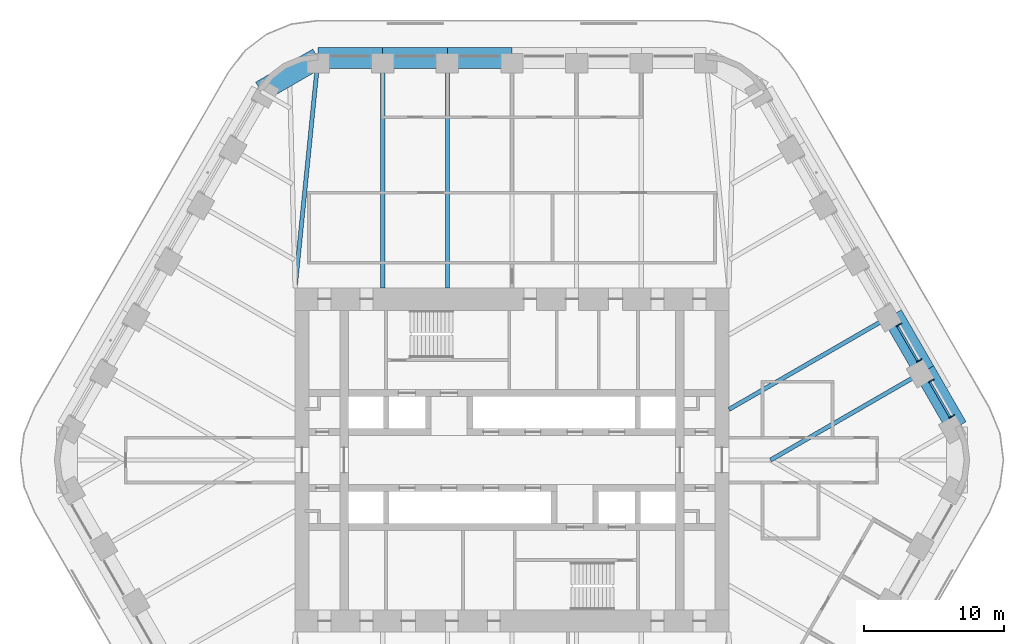
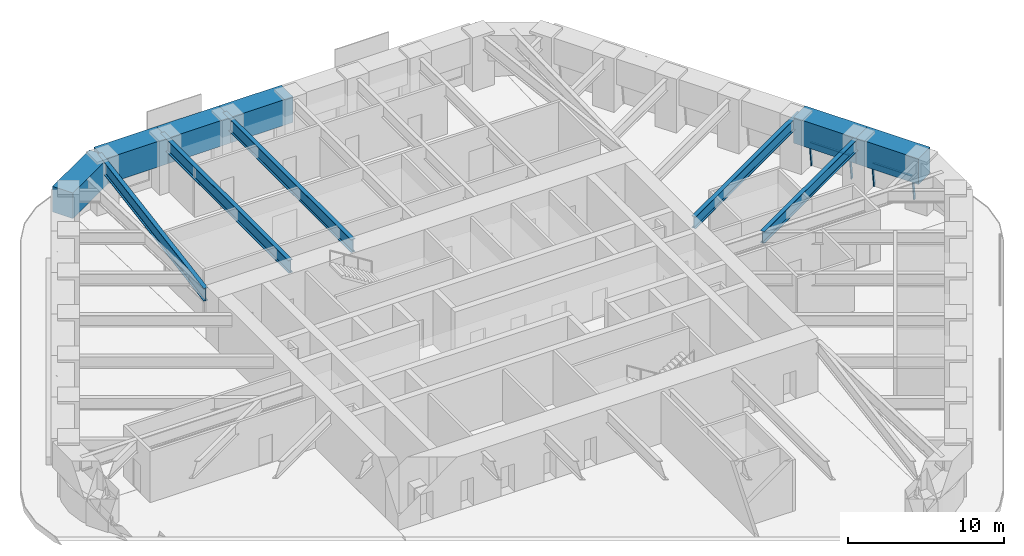
# One storey, part 9 of 20: 11 beams, 6 members, 2 elements without a shape of their own.
"""IFC4 building model written with IfcOpenShell, lengths in metres."""

from ifc_helpers import new_model, si_unit, direction, frame, origin, origin_2d, place, context, subcontext, project, spatial, rectangle, i_section, extrude, material, material_profile, profile_set, type_object, element, aggregate, save


model = new_model("IFC4")

# Units and contexts
model_context = context("Model", 3, precision=1e-05, world=origin(), true_north=direction((0.0, 1.0)))
body_context = subcontext(model_context, "Body", "Model", "MODEL_VIEW")
ifc_project = project(units=[si_unit("LENGTHUNIT", "METRE"), si_unit("AREAUNIT", "SQUARE_METRE"), si_unit("VOLUMEUNIT", "CUBIC_METRE"), si_unit("PLANEANGLEUNIT", "RADIAN"), si_unit("MASSUNIT", "GRAM", prefix="KILO")], contexts=[model_context])

# Site, building, storey
site_placement = place(None, origin())
site = spatial("IfcSite", under=ifc_project, at=site_placement, CompositionType="ELEMENT")
building_placement = place(site_placement, origin())
building = spatial("IfcBuilding", under=site, at=building_placement, Name="Tarfa Lantern Tower", CompositionType="ELEMENT")
storey_placement = place(building_placement, frame((0.0, 0.0, 219.699951171875)))
storey = spatial("IfcBuildingStorey", under=building, at=storey_placement, Name="L49", CompositionType="ELEMENT", Elevation=219.699951171875)

# Curtain wall, members
ifc_material_1 = material(Name="Aluminium framed curtain wall", Category="aluminium")
curtain_wall_type = type_object("IfcCurtainWallType", Name="CW3 CANTED GLAZING HIGH ZONE 2000", PredefinedType="USERDEFINED", material=ifc_material_1)
curtain_wall_1_placement = place(storey_placement, origin())
curtain_wall_1 = element("IfcCurtainWall", 1, at=curtain_wall_1_placement, inside=storey, type_object=curtain_wall_type, Name="CW3 NE L49", ObjectType="CURTAIN WALL", PredefinedType="USERDEFINED")
ifc_material_2 = material(Name="Aluminium mullion", Category="aluminium")
ifc_material_profile_1 = material_profile(ifc_material_2, rectangle(XDim=0.06494140625, YDim=0.199951171875, at=origin_2d()), Name="AL MULLION 65x200")
ifc_profile_set_1 = profile_set([ifc_material_profile_1], Name="Aluminium mullion")
member_type_1 = type_object("IfcMemberType", Name="CWM1 MULLION 65x200", PredefinedType="MULLION", material=ifc_profile_set_1)
member_1_placement = place(storey_placement, frame((31.5400390625, 3.1708984375, 0.0), z_axis=(-0.107439978116, -0.062017213975, 0.992275423596), x_axis=(0.499919672301, -0.866071776036, 0.0)))
member_1 = element("IfcMember", 2, at=member_1_placement, type_object=member_type_1, Name="CW3 mullion 1", PredefinedType="MULLION", context=body_context, shape_type="SweptSolid", body=[
    extrude(rectangle(XDim=0.06494140625, YDim=0.199951171875, at=origin_2d()), origin(), (0.0, 0.0, 1.0), 2.015625),
])
member_2_placement = place(storey_placement, frame((30.063232421875, 5.72900390625, 0.0), z_axis=(-0.107439978116, -0.062017213975, 0.992275423596), x_axis=(0.499919672301, -0.866071776036, 0.0)))
member_2 = element("IfcMember", 3, at=member_2_placement, type_object=member_type_1, Name="CW3 mullion 2", PredefinedType="MULLION", context=body_context, shape_type="SweptSolid", body=[
    extrude(rectangle(XDim=0.06494140625, YDim=0.199951171875, at=origin_2d()), origin(), (0.0, 0.0, 1.0), 2.015625),
])

curtain_wall_2_placement = place(storey_placement, origin())
curtain_wall_2 = element("IfcCurtainWall", 4, at=curtain_wall_2_placement, inside=storey, type_object=curtain_wall_type, Name="CW3 NE L49", ObjectType="CURTAIN WALL", PredefinedType="USERDEFINED")
member_3_placement = place(storey_placement, frame((29.230712890625, 7.1708984375, 0.0), z_axis=(-0.107439978116, -0.062017213975, 0.992275423596), x_axis=(0.499919672301, -0.866071776036, 0.0)))
member_3 = element("IfcMember", 5, at=member_3_placement, type_object=member_type_1, Name="CW3 mullion 1", PredefinedType="MULLION", context=body_context, shape_type="SweptSolid", body=[
    extrude(rectangle(XDim=0.06494140625, YDim=0.199951171875, at=origin_2d()), origin(), (0.0, 0.0, 1.0), 2.015625),
])
member_4_placement = place(storey_placement, frame((27.75390625, 9.72900390625, 0.0), z_axis=(-0.107439978116, -0.062017213975, 0.992275423596), x_axis=(0.499919672301, -0.866071776036, 0.0)))
member_4 = element("IfcMember", 6, at=member_4_placement, type_object=member_type_1, Name="CW3 mullion 2", PredefinedType="MULLION", context=body_context, shape_type="SweptSolid", body=[
    extrude(rectangle(XDim=0.06494140625, YDim=0.199951171875, at=origin_2d()), origin(), (0.0, 0.0, 1.0), 2.015625),
])

# Member
ifc_material_3 = material(Name="Aluminium transom", Category="aluminium")
ifc_material_profile_2 = material_profile(ifc_material_3, rectangle(XDim=0.14990234375, YDim=0.06494140625, at=origin_2d()), Name="AL TRANSOM 150x65")
ifc_profile_set_2 = profile_set([ifc_material_profile_2], Name="Aluminium transom")
member_type_2 = type_object("IfcMemberType", Name="CWT1 TRANSOM 150x65", PredefinedType="USERDEFINED", material=ifc_profile_set_2)
member_5_placement = place(storey_placement, frame((31.310791015625, 3.076171875, 1.967529296875), z_axis=(-0.499993141028, 0.866029363778, 0.0), x_axis=(-0.866029363778, -0.499993141028, 0.0)))
member_5 = element("IfcMember", 7, at=member_5_placement, type_object=member_type_2, Name="CW3 transom 1.2", ObjectType="TRANSOM", PredefinedType="USERDEFINED", context=body_context, shape_type="SweptSolid", body=[
    extrude(rectangle(XDim=0.14990234375, YDim=0.06494140625, at=origin_2d()), origin(), (0.0, 0.0, 1.0), 2.888671875),
])

aggregate(curtain_wall_1, [member_1, member_2, member_5])

member_6_placement = place(storey_placement, frame((29.00146484375, 7.076171875, 1.967529296875), z_axis=(-0.499993141028, 0.866029363778, 0.0), x_axis=(-0.866029363778, -0.499993141028, 0.0)))
member_6 = element("IfcMember", 8, at=member_6_placement, type_object=member_type_2, Name="CW3 transom 1.2", ObjectType="TRANSOM", PredefinedType="USERDEFINED", context=body_context, shape_type="SweptSolid", body=[
    extrude(rectangle(XDim=0.14990234375, YDim=0.06494140625, at=origin_2d()), origin(), (0.0, 0.0, 1.0), 2.888671875),
])

aggregate(curtain_wall_2, [member_3, member_4, member_6])

# Beams
ifc_material_4 = material(Name="Concrete C80/95", Category="concrete")
ifc_material_profile_3 = material_profile(ifc_material_4, rectangle(XDim=1.5, YDim=2.0, at=origin_2d()), Name="RC 1500x2000")
ifc_profile_set_3 = profile_set([ifc_material_profile_3], Name="Concrete C80/95")
beam_type_1 = type_object("IfcBeamType", Name="RB3 RC 1500x2000", PredefinedType="BEAM", material=ifc_profile_set_3)
beam_1_placement = place(storey_placement, frame((31.800537109375, 2.360107421875, 3.0), z_axis=(-0.500027479704, 0.866009537788, 0.0), x_axis=(-0.866009537788, -0.500027479704, 0.0)))
element("IfcBeam", 9, at=beam_1_placement, inside=storey, type_object=beam_type_1, Name="Edge beam NE0", PredefinedType="BEAM", context=body_context, shape_type="SweptSolid", body=[
    extrude(rectangle(XDim=1.5, YDim=2.0, at=origin_2d()), origin(), (0.0, 0.0, 1.0), 4.618896484375),
])
beam_2_placement = place(storey_placement, frame((29.490966796875, 6.360107421875, 3.0), z_axis=(-0.499987836815, 0.866032426089, 0.0), x_axis=(-0.866032426089, -0.499987836815, 0.0)))
element("IfcBeam", 10, at=beam_2_placement, inside=storey, type_object=beam_type_1, Name="Edge beam NE1", PredefinedType="BEAM", context=body_context, shape_type="SweptSolid", body=[
    extrude(rectangle(XDim=1.5, YDim=2.0, at=origin_2d()), origin(), (0.0, 0.0, 1.0), 4.61865234375),
])
beam_3_placement = place(storey_placement, frame((0.0, 28.719970703125, 3.0), z_axis=(-1.0, 0.0, 0.0), x_axis=(0.0, -1.0, 0.0)))
element("IfcBeam", 11, at=beam_3_placement, inside=storey, type_object=beam_type_1, Name="Edge beam N3", PredefinedType="BEAM", context=body_context, shape_type="SweptSolid", body=[
    extrude(rectangle(XDim=1.5, YDim=2.0, at=origin_2d()), origin(), (0.0, 0.0, 1.0), 4.618896484375),
])
beam_4_placement = place(storey_placement, frame((-4.618896484375, 28.719970703125, 3.0), z_axis=(-1.0, 0.0, 0.0), x_axis=(0.0, -1.0, 0.0)))
element("IfcBeam", 12, at=beam_4_placement, inside=storey, type_object=beam_type_1, Name="Edge beam N4", PredefinedType="BEAM", context=body_context, shape_type="SweptSolid", body=[
    extrude(rectangle(XDim=1.5, YDim=2.0, at=origin_2d()), origin(), (0.0, 0.0, 1.0), 4.61865234375),
])
beam_5_placement = place(storey_placement, frame((-9.237548828125, 28.719970703125, 3.0), z_axis=(-1.0, 0.0, 0.0), x_axis=(0.0, -1.0, 0.0)))
element("IfcBeam", 13, at=beam_5_placement, inside=storey, type_object=beam_type_1, Name="Edge beam N5", PredefinedType="BEAM", context=body_context, shape_type="SweptSolid", body=[
    extrude(rectangle(XDim=1.5, YDim=2.0, at=origin_2d()), origin(), (0.0, 0.0, 1.0), 4.618896484375),
])
beam_6_placement = place(storey_placement, frame((-13.8564453125, 28.719970703125, 3.0), z_axis=(-0.866038294681, -0.499977671647, 0.0), x_axis=(0.499977671647, -0.866038294681, 0.0)))
element("IfcBeam", 14, at=beam_6_placement, inside=storey, type_object=beam_type_1, Name="Edge beam N6", PredefinedType="BEAM", context=body_context, shape_type="SweptSolid", body=[
    extrude(rectangle(XDim=1.5, YDim=2.0, at=origin_2d()), origin(), (0.0, 0.0, 1.0), 4.719970703125),
])
ifc_material_5 = material(Name="Steel S460M", Category="steel")
ifc_material_profile_4 = material_profile(ifc_material_5, i_section(OverallWidth=0.302001953125, OverallDepth=1.008056640625, WebThickness=0.02099609375, FlangeThickness=0.0400390625, FilletRadius=0.030029296875, at=origin_2d()), Name="UB1016x305x349")
ifc_profile_set_4 = profile_set([ifc_material_profile_4], Name="Steel S460M")
beam_type_2 = type_object("IfcBeamType", Name="UB1016x305x349", PredefinedType="BEAM", material=ifc_profile_set_4)
for number, where, z_axis, x_axis, name in (
    (15, (-4.618896484375, 28.719970703125, 3.49609375), (0.0, -1.0, 0.0), (1.0, 0.0, 0.0), "Floor beam N4"),
    (16, (-9.237548828125, 28.719970703125, 3.49609375), (0.0, -1.0, 0.0), (1.0, 0.0, 0.0), "Floor beam N5"),
):
    element("IfcBeam", number, at=place(storey_placement, frame(where, z_axis=z_axis, x_axis=x_axis)), inside=storey, type_object=beam_type_2, Name=name, PredefinedType="BEAM", context=body_context, shape_type="SweptSolid", body=[
        extrude(i_section(OverallWidth=0.302001953125, OverallDepth=1.008056640625, WebThickness=0.02099609375, FlangeThickness=0.0400390625, FilletRadius=0.030029296875, at=origin_2d()), origin(), (0.0, 0.0, 1.0), 16.419921875),
    ])
beam_7_placement = place(storey_placement, frame((-13.8564453125, 28.719970703125, 3.49609375), z_axis=(-0.099597466746, -0.995027810977, 0.0), x_axis=(0.995027810977, -0.099597466746, 0.0)))
element("IfcBeam", 17, at=beam_7_placement, inside=storey, type_object=beam_type_2, Name="Floor beam N6", PredefinedType="BEAM", context=body_context, shape_type="SweptSolid", body=[
    extrude(i_section(OverallWidth=0.302001953125, OverallDepth=1.008056640625, WebThickness=0.02099609375, FlangeThickness=0.0400390625, FilletRadius=0.030029296875, at=origin_2d()), origin(), (0.0, 0.0, 1.0), 16.501953125),
])
ifc_material_profile_5 = material_profile(ifc_material_5, i_section(OverallWidth=0.305419921875, OverallDepth=0.91845703125, WebThickness=0.017333984375, FlangeThickness=0.02783203125, FilletRadius=0.01904296875, at=origin_2d()), Name="UB914x305x253")
ifc_profile_set_5 = profile_set([ifc_material_profile_5], Name="Steel S460M")
beam_type_3 = type_object("IfcBeamType", Name="UB914x305x253", PredefinedType="BEAM", material=ifc_profile_set_5)
beam_8_placement = place(storey_placement, frame((29.490966796875, 6.360107421875, 3.540771484375), z_axis=(-0.866022258038, -0.500005448553, 0.0), x_axis=(0.500005448553, -0.866022258038, 0.0)))
element("IfcBeam", 18, at=beam_8_placement, inside=storey, type_object=beam_type_3, Name="Floor beam NE1", PredefinedType="BEAM", context=body_context, shape_type="SweptSolid", body=[
    extrude(i_section(OverallWidth=0.305419921875, OverallDepth=0.91845703125, WebThickness=0.017333984375, FlangeThickness=0.02783203125, FilletRadius=0.01904296875, at=origin_2d()), origin(), (0.0, 0.0, 1.0), 12.719970703125),
])
beam_9_placement = place(storey_placement, frame((27.181640625, 10.360107421875, 3.540771484375), z_axis=(-0.866018002818, -0.500012818631, 0.0), x_axis=(0.500012818631, -0.866018002818, 0.0)))
element("IfcBeam", 19, at=beam_9_placement, inside=storey, type_object=beam_type_3, Name="Floor beam NE2", PredefinedType="BEAM", context=body_context, shape_type="SweptSolid", body=[
    extrude(i_section(OverallWidth=0.305419921875, OverallDepth=0.91845703125, WebThickness=0.017333984375, FlangeThickness=0.02783203125, FilletRadius=0.01904296875, at=origin_2d()), origin(), (0.0, 0.0, 1.0), 13.489013671875),
])

save(model, "model.ifc")
